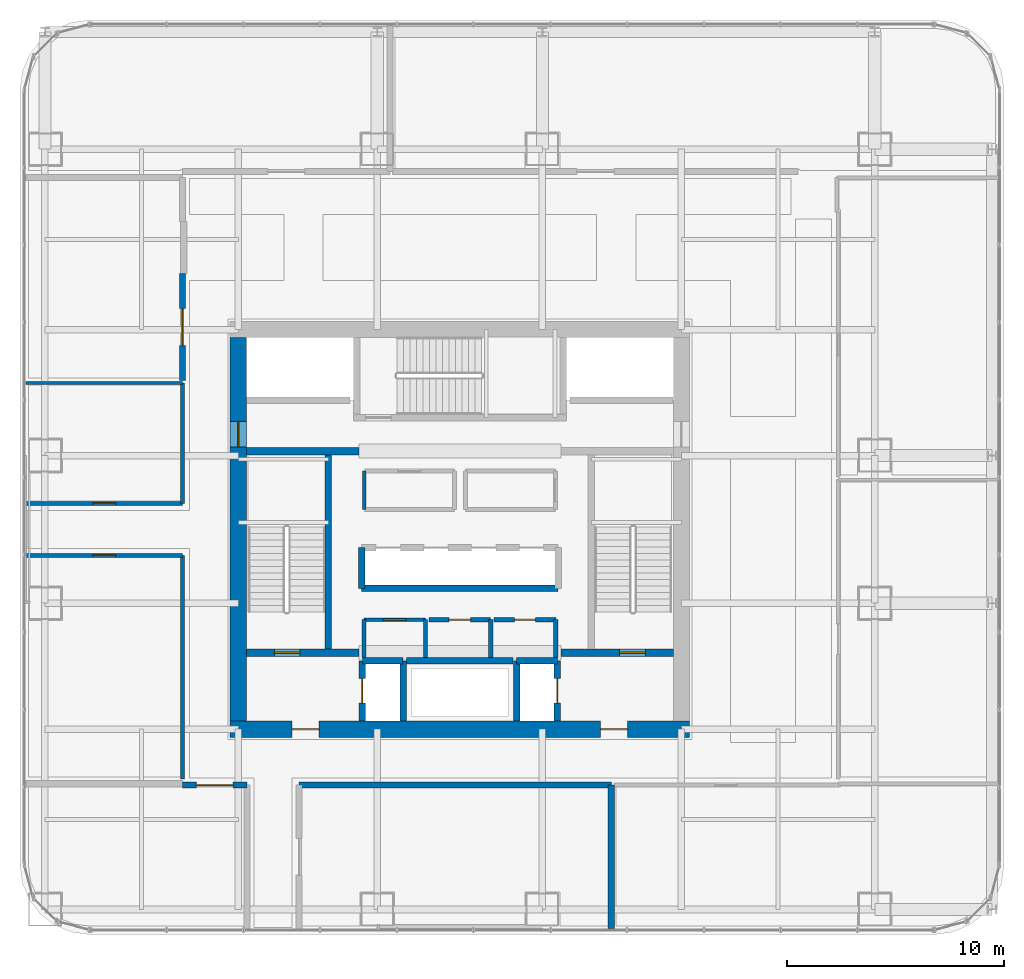
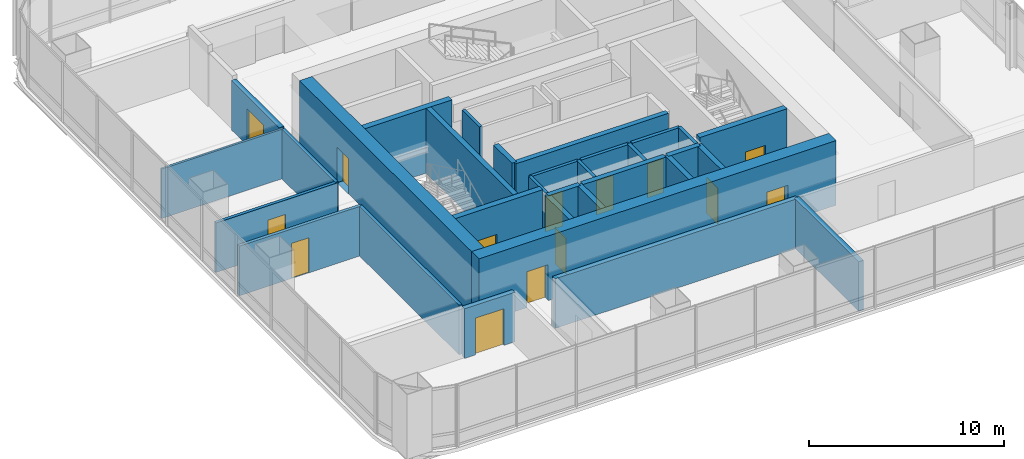
# One storey, part 27 of 34: 32 walls, 14 doors, 14 openings.
"""IFC4 building model written with IfcOpenShell, lengths in metres."""

from ifc_helpers import new_model, si_unit, direction, frame, frame_2d, origin, place, context, subcontext, project, spatial, rectangle, extrude, material, layer, layer_set, type_object, element, fill, save


model = new_model("IFC4")

# Units and contexts
model_context = context("Model", 3, precision=1e-05, world=origin(), true_north=direction((0.0, 1.0)))
body_context = subcontext(model_context, "Body", "Model", "MODEL_VIEW")
ifc_project = project(units=[si_unit("LENGTHUNIT", "METRE"), si_unit("AREAUNIT", "SQUARE_METRE"), si_unit("VOLUMEUNIT", "CUBIC_METRE"), si_unit("PLANEANGLEUNIT", "RADIAN"), si_unit("MASSUNIT", "GRAM", prefix="KILO")], contexts=[model_context])

# Site, building, storey
site_placement = place(None, origin())
site = spatial("IfcSite", under=ifc_project, at=site_placement, CompositionType="ELEMENT")
building_placement = place(site_placement, origin())
building = spatial("IfcBuilding", under=site, at=building_placement, Name="Punatoya Terracotta Tower", CompositionType="ELEMENT")
storey_placement = place(building_placement, frame((0.0, 0.0, 97.050048828125)))
storey = spatial("IfcBuildingStorey", under=building, at=storey_placement, Name="L22", CompositionType="ELEMENT", Elevation=97.050048828125)

# Walls
ifc_material_1 = material(Name="Concrete C40/50", Category="concrete")
ifc_layer_1 = layer(ifc_material_1, 0.280029296875)
ifc_layer_set_1 = layer_set([ifc_layer_1], Name="Concrete C40/50")
wall_type_1 = type_object("IfcWallType", Name="WL-AUD-280", PredefinedType="SOLIDWALL", material=ifc_layer_set_1)
wall_1_placement = place(storey_placement, frame((-7.39990234375, -11.77001953125, 0.0), z_axis=(0.0, 0.0, 1.0), x_axis=(1.0, 0.0, 0.0)))
element("IfcWall", 1, at=wall_1_placement, inside=storey, type_object=wall_type_1, Name="L22 Open-Plan Client Dining Salon Partition 17", PredefinedType="SOLIDWALL", context=body_context, shape_type="SweptSolid", body=[
    extrude(rectangle(XDim=14.369873046875, YDim=0.280029296875, at=frame_2d((7.18505859375, 0.0))), origin(), (0.0, 0.0, 1.0), 3.10400390625),
])
wall_2_placement = place(storey_placement, frame((6.969970703125, -11.77001953125, 0.0), z_axis=(0.0, 0.0, 1.0), x_axis=(0.0, -1.0, 0.0)))
element("IfcWall", 2, at=wall_2_placement, inside=storey, type_object=wall_type_1, Name="L22 Open-Plan Client Dining Salon Partition 18", PredefinedType="SOLIDWALL", context=body_context, shape_type="SweptSolid", body=[
    extrude(rectangle(XDim=6.60009765625, YDim=0.280029296875, at=frame_2d((3.300048828125, 0.0))), origin(), (0.0, 0.0, 1.0), 3.10400390625),
])

# Wall, opening, door
wall_3_placement = place(storey_placement, frame((-12.77001953125, -11.77001953125, 0.0), z_axis=(0.0, 0.0, 1.0), x_axis=(1.0, 0.0, 0.0)))
wall_3 = element("IfcWall", 3, at=wall_3_placement, inside=storey, type_object=wall_type_1, Name="L22 Open-Plan Executive Bistro Lounge Partition 20", PredefinedType="SOLIDWALL", context=body_context, shape_type="SweptSolid", body=[
    extrude(rectangle(XDim=2.969970703125, YDim=0.280029296875, at=frame_2d((1.48486328125, 0.0))), origin(), (0.0, 0.0, 1.0), 3.10400390625),
])
opening_1_placement = place(wall_3_placement, frame((0.635009765625, 0.0, 0.0)))
opening_1 = element("IfcOpeningElement", 4, at=opening_1_placement, cuts=wall_3, Name="Opening FD-D1", PredefinedType="OPENING", context=body_context, shape_type="SweptSolid", body=[
    extrude(rectangle(XDim=1.699951171875, YDim=2.300048828125, at=frame_2d((0.85009765625, 1.14990234375))), frame((0.0, 0.14990234375, 0.0), z_axis=(0.0, -1.0, 0.0), x_axis=(1.0, 0.0, 0.0)), (0.0, 0.0, 1.0), 0.300048828125),
])
ifc_material_2 = material(Name="Timber Teak Veneer Fire Leaf", Category="wood")
door_type_1 = type_object("IfcDoorType", Name="DR-DIN-1700", OperationType="NOTDEFINED", PredefinedType="DOOR", material=ifc_material_2)
door_1_placement = place(opening_1_placement, origin())
door_1 = element("IfcDoor", 5, at=door_1_placement, inside=storey, type_object=door_type_1, Name="L22 Open-Plan Executive Bistro Lounge Fire Door", OperationType="DOUBLE_DOOR_SINGLE_SWING", OverallHeight=2.300048828125, OverallWidth=1.699951171875, PredefinedType="DOOR", context=body_context, shape_type="SweptSolid", body=[
    extrude(rectangle(XDim=1.699951171875, YDim=2.300048828125, at=frame_2d((0.85009765625, 1.14990234375))), frame((0.0, 0.02490234375, 0.0), z_axis=(0.0, -1.0, 0.0), x_axis=(1.0, 0.0, 0.0)), (0.0, 0.0, 1.0), 0.050048828125),
])
fill(opening_1, door_1)

wall_4_placement = place(storey_placement, frame((-12.77001953125, 11.77001953125, 0.0), z_axis=(0.0, 0.0, 1.0), x_axis=(0.0, -1.0, 0.0)))
wall_4 = element("IfcWall", 6, at=wall_4_placement, inside=storey, type_object=wall_type_1, Name="L22 Waterfront Club Lounge Partition 35", PredefinedType="SOLIDWALL", context=body_context, shape_type="SweptSolid", body=[
    extrude(rectangle(XDim=4.912109375, YDim=0.280029296875, at=frame_2d((2.4560546875, 0.0))), origin(), (0.0, 0.0, 1.0), 3.10400390625),
])
opening_2_placement = place(wall_4_placement, frame((1.60595703125, 0.0, 0.0)))
opening_2 = element("IfcOpeningElement", 7, at=opening_2_placement, cuts=wall_4, Name="Opening FD-D1", PredefinedType="OPENING", context=body_context, shape_type="SweptSolid", body=[
    extrude(rectangle(XDim=1.699951171875, YDim=2.300048828125, at=frame_2d((0.85009765625, 1.14990234375))), frame((0.0, 0.14990234375, 0.0), z_axis=(0.0, -1.0, 0.0), x_axis=(1.0, 0.0, 0.0)), (0.0, 0.0, 1.0), 0.300048828125),
])
door_2_placement = place(opening_2_placement, origin())
door_2 = element("IfcDoor", 8, at=door_2_placement, inside=storey, type_object=door_type_1, Name="L22 Waterfront Club Lounge Fire Door", OperationType="DOUBLE_DOOR_SINGLE_SWING", OverallHeight=2.300048828125, OverallWidth=1.699951171875, PredefinedType="DOOR", context=body_context, shape_type="SweptSolid", body=[
    extrude(rectangle(XDim=1.699951171875, YDim=2.300048828125, at=frame_2d((0.85009765625, 1.14990234375))), frame((0.0, 0.02490234375, 0.0), z_axis=(0.0, -1.0, 0.0), x_axis=(1.0, 0.0, 0.0)), (0.0, 0.0, 1.0), 0.050048828125),
])
fill(opening_2, door_2)

# Wall, openings, doors
ifc_material_3 = material(Name="Concrete C60/75", Category="concrete")
ifc_layer_2 = layer(ifc_material_3, 0.75)
ifc_layer_set_2 = layer_set([ifc_layer_2], Name="Concrete C60/75")
wall_type_2 = type_object("IfcWallType", Name="WL-COR-750", PredefinedType="SHEAR", material=ifc_layer_set_2)
wall_5_placement = place(storey_placement, frame((10.574951171875, -9.199951171875, 0.0), z_axis=(0.0, 0.0, 1.0), x_axis=(-1.0, 0.0, 0.0)))
wall_5 = element("IfcWall", 9, at=wall_5_placement, inside=storey, type_object=wall_type_2, Name="L22 Core Shear Wall S", PredefinedType="SHEAR", context=body_context, shape_type="SweptSolid", body=[
    extrude(rectangle(XDim=21.14990234375, YDim=0.75, at=frame_2d((10.574951171875, 0.0))), origin(), (0.0, 0.0, 1.0), 4.050048828125),
])
opening_3_placement = place(wall_5_placement, frame((2.85009765625, 0.0, 0.0)))
opening_3 = element("IfcOpeningElement", 10, at=opening_3_placement, cuts=wall_5, Name="Opening FD-L1", PredefinedType="OPENING", context=body_context, shape_type="SweptSolid", body=[
    extrude(rectangle(XDim=1.25, YDim=2.25, at=frame_2d((0.625, 1.125))), frame((0.0, 0.385009765625, 0.0), z_axis=(0.0, -1.0, 0.0), x_axis=(1.0, 0.0, 0.0)), (0.0, 0.0, 1.0), 0.77001953125),
])
opening_4_placement = place(wall_5_placement, frame((17.050048828125, 0.0, 0.0)))
opening_4 = element("IfcOpeningElement", 11, at=opening_4_placement, cuts=wall_5, Name="Opening FD-L1", PredefinedType="OPENING", context=body_context, shape_type="SweptSolid", body=[
    extrude(rectangle(XDim=1.25, YDim=2.25, at=frame_2d((0.625, 1.125))), frame((0.0, 0.385009765625, 0.0), z_axis=(0.0, -1.0, 0.0), x_axis=(1.0, 0.0, 0.0)), (0.0, 0.0, 1.0), 0.77001953125),
])
ifc_material_4 = material(Name="Galvanised Steel Smokeproof Fire Door", Category="steel")
door_type_2 = type_object("IfcDoorType", Name="DR-FFL-1250", OperationType="NOTDEFINED", PredefinedType="DOOR", material=ifc_material_4)
door_3_placement = place(opening_3_placement, origin())
door_3 = element("IfcDoor", 12, at=door_3_placement, inside=storey, type_object=door_type_2, Name="L22 East Firefighting Lobby Corridor Fire Door", OperationType="SINGLE_SWING_LEFT", OverallHeight=2.25, OverallWidth=1.25, PredefinedType="DOOR", context=body_context, shape_type="SweptSolid", body=[
    extrude(rectangle(XDim=1.25, YDim=2.25, at=frame_2d((0.625, 1.125))), frame((0.0, 0.02490234375, 0.0), z_axis=(0.0, -1.0, 0.0), x_axis=(1.0, 0.0, 0.0)), (0.0, 0.0, 1.0), 0.050048828125),
])
fill(opening_3, door_3)
door_4_placement = place(opening_4_placement, origin())
door_4 = element("IfcDoor", 13, at=door_4_placement, inside=storey, type_object=door_type_2, Name="L22 West Firefighting Lobby Corridor Fire Door", OperationType="SINGLE_SWING_RIGHT", OverallHeight=2.25, OverallWidth=1.25, PredefinedType="DOOR", context=body_context, shape_type="SweptSolid", body=[
    extrude(rectangle(XDim=1.25, YDim=2.25, at=frame_2d((0.625, 1.125))), frame((0.0, 0.02490234375, 0.0), z_axis=(0.0, -1.0, 0.0), x_axis=(1.0, 0.0, 0.0)), (0.0, 0.0, 1.0), 0.050048828125),
])
fill(opening_4, door_4)

# Wall, opening, door
wall_6_placement = place(storey_placement, frame((-10.199951171875, -8.824951171875, 0.0), z_axis=(0.0, 0.0, 1.0), x_axis=(0.0, 1.0, 0.0)))
wall_6 = element("IfcWall", 14, at=wall_6_placement, inside=storey, type_object=wall_type_2, Name="L22 Core Shear Wall W", PredefinedType="SHEAR", context=body_context, shape_type="SweptSolid", body=[
    extrude(rectangle(XDim=17.64990234375, YDim=0.75, at=frame_2d((8.824951171875, 0.0))), origin(), (0.0, 0.0, 1.0), 4.050048828125),
])
opening_5_placement = place(wall_6_placement, frame((12.614990234375, 0.0, 0.0)))
opening_5 = element("IfcOpeningElement", 15, at=opening_5_placement, cuts=wall_6, Name="Opening SD-01", PredefinedType="OPENING", context=body_context, shape_type="SweptSolid", body=[
    extrude(rectangle(XDim=1.179931640625, YDim=2.199951171875, at=frame_2d((0.58984375, 1.10009765625))), frame((0.0, 0.385009765625, 0.0), z_axis=(0.0, -1.0, 0.0), x_axis=(1.0, 0.0, 0.0)), (0.0, 0.0, 1.0), 0.77001953125),
])
ifc_material_5 = material(Name="Galvanised Steel Pressurized Stair Fire Door", Category="steel")
door_type_3 = type_object("IfcDoorType", Name="DR-STR-1180", OperationType="NOTDEFINED", PredefinedType="DOOR", material=ifc_material_5)
door_5_placement = place(opening_5_placement, origin())
door_5 = element("IfcDoor", 16, at=door_5_placement, inside=storey, type_object=door_type_3, Name="L22 Central Lift Lobby West Fire Door", OperationType="SINGLE_SWING_LEFT", OverallHeight=2.199951171875, OverallWidth=1.179931640625, PredefinedType="DOOR", context=body_context, shape_type="SweptSolid", body=[
    extrude(rectangle(XDim=1.179931640625, YDim=2.199951171875, at=frame_2d((0.58984375, 1.10009765625))), frame((0.0, 0.02490234375, 0.0), z_axis=(0.0, -1.0, 0.0), x_axis=(1.0, 0.0, 0.0)), (0.0, 0.0, 1.0), 0.050048828125),
])
fill(opening_5, door_5)

# Wall
ifc_material_6 = material(Name="Gypsum Fireboard + Steel Stud", Category="steel")
ifc_layer_3 = layer(ifc_material_6, 0.179931640625)
ifc_layer_set_3 = layer_set([ifc_layer_3], Name="Gypsum Fireboard + Steel Stud")
wall_type_3 = type_object("IfcWallType", Name="WL-CORR-180", PredefinedType="PARTITIONING", material=ifc_layer_set_3)
wall_7_placement = place(storey_placement, frame((-1.580078125, -5.89990234375, 0.0), z_axis=(0.0, 0.0, 1.0), x_axis=(0.0, 1.0, 0.0)))
element("IfcWall", 17, at=wall_7_placement, inside=storey, type_object=wall_type_3, Name="L22 Core Quiet Wellness Room Partition 01", PredefinedType="PARTITIONING", context=body_context, shape_type="SweptSolid", body=[
    extrude(rectangle(XDim=1.739990234375, YDim=0.179931640625, at=frame_2d((0.8701171875, 0.0))), origin(), (0.0, 0.0, 1.0), 3.81005859375),
])

# Wall, opening, door
wall_8_placement = place(storey_placement, frame((-1.580078125, -4.159912109375, 0.0), z_axis=(0.0, 0.0, 1.0), x_axis=(-1.0, 0.0, 0.0)))
wall_8 = element("IfcWall", 18, at=wall_8_placement, inside=storey, type_object=wall_type_3, Name="L22 Core Quiet Wellness Room Partition 02", PredefinedType="PARTITIONING", context=body_context, shape_type="SweptSolid", body=[
    extrude(rectangle(XDim=2.83984375, YDim=0.179931640625, at=frame_2d((1.419921875, 0.0))), origin(), (0.0, 0.0, 1.0), 3.81005859375),
])
opening_6_placement = place(wall_8_placement, frame((0.89501953125, 0.0, 0.0)))
opening_6 = element("IfcOpeningElement", 19, at=opening_6_placement, cuts=wall_8, Name="Opening OD-01", PredefinedType="OPENING", context=body_context, shape_type="SweptSolid", body=[
    extrude(rectangle(XDim=1.050048828125, YDim=2.199951171875, at=frame_2d((0.52490234375, 1.10009765625))), frame((0.0, 0.099853515625, 0.0), z_axis=(0.0, -1.0, 0.0), x_axis=(1.0, 0.0, 0.0)), (0.0, 0.0, 1.0), 0.199951171875),
])
ifc_material_7 = material(Name="Bengal Teak Solid-Core Leaf")
door_type_4 = type_object("IfcDoorType", Name="DR-OFF-1050", OperationType="NOTDEFINED", PredefinedType="DOOR", material=ifc_material_7)
door_6_placement = place(opening_6_placement, origin())
door_6 = element("IfcDoor", 20, at=door_6_placement, inside=storey, type_object=door_type_4, Name="L22 Quiet Wellness Room Door", OperationType="SINGLE_SWING_RIGHT", OverallHeight=2.199951171875, OverallWidth=1.050048828125, PredefinedType="DOOR", context=body_context, shape_type="SweptSolid", body=[
    extrude(rectangle(XDim=1.050048828125, YDim=2.199951171875, at=frame_2d((0.52490234375, 1.10009765625))), frame((0.0, 0.02490234375, 0.0), z_axis=(0.0, -1.0, 0.0), x_axis=(1.0, 0.0, 0.0)), (0.0, 0.0, 1.0), 0.050048828125),
])
fill(opening_6, door_6)

# Walls
wall_9_placement = place(storey_placement, frame((-4.419921875, -4.159912109375, 0.0), z_axis=(0.0, 0.0, 1.0), x_axis=(0.0, -1.0, 0.0)))
element("IfcWall", 21, at=wall_9_placement, inside=storey, type_object=wall_type_3, Name="L22 Core Quiet Wellness Room Partition 03", PredefinedType="PARTITIONING", context=body_context, shape_type="SweptSolid", body=[
    extrude(rectangle(XDim=1.739990234375, YDim=0.179931640625, at=frame_2d((0.8701171875, 0.0))), origin(), (0.0, 0.0, 1.0), 3.81005859375),
])
wall_10_placement = place(storey_placement, frame((-4.39990234375, 2.679931640625, 0.0), z_axis=(0.0, 0.0, 1.0), x_axis=(0.0, -1.0, 0.0)))
element("IfcWall", 22, at=wall_10_placement, inside=storey, type_object=wall_type_3, Name="L22 West Core Focus Pod Partition 10", PredefinedType="PARTITIONING", context=body_context, shape_type="SweptSolid", body=[
    extrude(rectangle(XDim=1.760009765625, YDim=0.179931640625, at=frame_2d((0.8798828125, 0.0))), origin(), (0.0, 0.0, 1.0), 3.81005859375),
])

# Wall, opening, door
wall_11_placement = place(storey_placement, frame((-19.969970703125, -1.199951171875, 0.0), z_axis=(0.0, 0.0, 1.0), x_axis=(1.0, 0.0, 0.0)))
wall_11 = element("IfcWall", 23, at=wall_11_placement, inside=storey, type_object=wall_type_3, Name="L22 Open-Plan Visitor Reception Salon Partition 24", PredefinedType="PARTITIONING", context=body_context, shape_type="SweptSolid", body=[
    extrude(rectangle(XDim=7.199951171875, YDim=0.179931640625, at=frame_2d((3.60009765625, 0.0))), origin(), (0.0, 0.0, 1.0), 3.10400390625),
])
opening_7_placement = place(wall_11_placement, frame((3.074951171875, 0.0, 0.0)))
opening_7 = element("IfcOpeningElement", 24, at=opening_7_placement, cuts=wall_11, Name="Opening OD-01", PredefinedType="OPENING", context=body_context, shape_type="SweptSolid", body=[
    extrude(rectangle(XDim=1.050048828125, YDim=2.199951171875, at=frame_2d((0.52490234375, 1.10009765625))), frame((0.0, 0.099853515625, 0.0), z_axis=(0.0, -1.0, 0.0), x_axis=(1.0, 0.0, 0.0)), (0.0, 0.0, 1.0), 0.199951171875),
])
door_7_placement = place(opening_7_placement, origin())
door_7 = element("IfcDoor", 25, at=door_7_placement, inside=storey, type_object=door_type_4, Name="L22 Open-Plan Visitor Reception Salon Door", OperationType="SINGLE_SWING_RIGHT", OverallHeight=2.199951171875, OverallWidth=1.050048828125, PredefinedType="DOOR", context=body_context, shape_type="SweptSolid", body=[
    extrude(rectangle(XDim=1.050048828125, YDim=2.199951171875, at=frame_2d((0.52490234375, 1.10009765625))), frame((0.0, 0.02490234375, 0.0), z_axis=(0.0, -1.0, 0.0), x_axis=(1.0, 0.0, 0.0)), (0.0, 0.0, 1.0), 0.050048828125),
])
fill(opening_7, door_7)

# Wall
wall_12_placement = place(storey_placement, frame((-12.77001953125, -1.199951171875, 0.0), z_axis=(0.0, 0.0, 1.0), x_axis=(0.0, -1.0, 0.0)))
element("IfcWall", 26, at=wall_12_placement, inside=storey, type_object=wall_type_3, Name="L22 Open-Plan Visitor Reception Salon Partition 25", PredefinedType="PARTITIONING", context=body_context, shape_type="SweptSolid", body=[
    extrude(rectangle(XDim=10.2900390625, YDim=0.179931640625, at=frame_2d((5.14501953125, 0.0))), origin(), (0.0, 0.0, 1.0), 3.10400390625),
])

# Wall, opening, door
wall_13_placement = place(storey_placement, frame((-12.77001953125, 1.199951171875, 0.0), z_axis=(0.0, 0.0, 1.0), x_axis=(-1.0, 0.0, 0.0)))
wall_13 = element("IfcWall", 27, at=wall_13_placement, inside=storey, type_object=wall_type_3, Name="L22 Open-Plan Wellness Relaxation Lounge Partition 28", PredefinedType="PARTITIONING", context=body_context, shape_type="SweptSolid", body=[
    extrude(rectangle(XDim=7.199951171875, YDim=0.179931640625, at=frame_2d((3.60009765625, 0.0))), origin(), (0.0, 0.0, 1.0), 3.10400390625),
])
opening_8_placement = place(wall_13_placement, frame((3.074951171875, 0.0, 0.0)))
opening_8 = element("IfcOpeningElement", 28, at=opening_8_placement, cuts=wall_13, Name="Opening OD-01", PredefinedType="OPENING", context=body_context, shape_type="SweptSolid", body=[
    extrude(rectangle(XDim=1.050048828125, YDim=2.199951171875, at=frame_2d((0.52490234375, 1.10009765625))), frame((0.0, 0.099853515625, 0.0), z_axis=(0.0, -1.0, 0.0), x_axis=(1.0, 0.0, 0.0)), (0.0, 0.0, 1.0), 0.199951171875),
])
door_8_placement = place(opening_8_placement, origin())
door_8 = element("IfcDoor", 29, at=door_8_placement, inside=storey, type_object=door_type_4, Name="L22 Open-Plan Wellness Relaxation Lounge Door", OperationType="SINGLE_SWING_RIGHT", OverallHeight=2.199951171875, OverallWidth=1.050048828125, PredefinedType="DOOR", context=body_context, shape_type="SweptSolid", body=[
    extrude(rectangle(XDim=1.050048828125, YDim=2.199951171875, at=frame_2d((0.52490234375, 1.10009765625))), frame((0.0, 0.02490234375, 0.0), z_axis=(0.0, -1.0, 0.0), x_axis=(1.0, 0.0, 0.0)), (0.0, 0.0, 1.0), 0.050048828125),
])
fill(opening_8, door_8)

# Walls
wall_14_placement = place(storey_placement, frame((-12.77001953125, 6.738037109375, 0.0), z_axis=(0.0, 0.0, 1.0), x_axis=(0.0, -1.0, 0.0)))
element("IfcWall", 30, at=wall_14_placement, inside=storey, type_object=wall_type_3, Name="L22 Open-Plan Wellness Relaxation Lounge Partition 30", PredefinedType="PARTITIONING", context=body_context, shape_type="SweptSolid", body=[
    extrude(rectangle(XDim=5.5380859375, YDim=0.179931640625, at=frame_2d((2.76904296875, 0.0))), origin(), (0.0, 0.0, 1.0), 3.10400390625),
])
ifc_layer_4 = layer(ifc_material_1, 0.199951171875)
ifc_layer_set_4 = layer_set([ifc_layer_4], Name="Concrete C40/50")
wall_type_4 = type_object("IfcWallType", Name="WL-INT-200", PredefinedType="SOLIDWALL", material=ifc_layer_set_4)
wall_15_placement = place(storey_placement, frame((1.419921875, -5.89990234375, 0.0), z_axis=(0.0, 0.0, 1.0), x_axis=(0.0, 1.0, 0.0)))
element("IfcWall", 31, at=wall_15_placement, inside=storey, type_object=wall_type_4, Name="L22 Accessible Universal Washroom Partition 04", PredefinedType="SOLIDWALL", context=body_context, shape_type="SweptSolid", body=[
    extrude(rectangle(XDim=1.739990234375, YDim=0.199951171875, at=frame_2d((0.8701171875, 0.0))), origin(), (0.0, 0.0, 1.0), 3.81005859375),
])

# Wall, opening, door
wall_16_placement = place(storey_placement, frame((1.419921875, -4.159912109375, 0.0), z_axis=(0.0, 0.0, 1.0), x_axis=(-1.0, 0.0, 0.0)))
wall_16 = element("IfcWall", 32, at=wall_16_placement, inside=storey, type_object=wall_type_4, Name="L22 Accessible Universal Washroom Partition 05", PredefinedType="SOLIDWALL", context=body_context, shape_type="SweptSolid", body=[
    extrude(rectangle(XDim=2.83984375, YDim=0.199951171875, at=frame_2d((1.419921875, 0.0))), origin(), (0.0, 0.0, 1.0), 3.81005859375),
])
opening_9_placement = place(wall_16_placement, frame((0.919921875, 0.0, 0.0)))
opening_9 = element("IfcOpeningElement", 33, at=opening_9_placement, cuts=wall_16, Name="Opening AWD-1", PredefinedType="OPENING", context=body_context, shape_type="SweptSolid", body=[
    extrude(rectangle(XDim=1.0, YDim=2.14990234375, at=frame_2d((0.5, 1.074951171875))), frame((0.0, 0.10986328125, 0.0), z_axis=(0.0, -1.0, 0.0), x_axis=(1.0, 0.0, 0.0)), (0.0, 0.0, 1.0), 0.219970703125),
])
ifc_material_8 = material(Name="Bengal Teak Accessible WC Leaf")
door_type_5 = type_object("IfcDoorType", Name="DR-ACC-1000", OperationType="NOTDEFINED", PredefinedType="DOOR", material=ifc_material_8)
door_9_placement = place(opening_9_placement, origin())
door_9 = element("IfcDoor", 34, at=door_9_placement, inside=storey, type_object=door_type_5, Name="L22 Accessible Universal Washroom Door", OperationType="SINGLE_SWING_LEFT", OverallHeight=2.14990234375, OverallWidth=1.0, PredefinedType="DOOR", context=body_context, shape_type="SweptSolid", body=[
    extrude(rectangle(XDim=1.0, YDim=2.14990234375, at=frame_2d((0.5, 1.074951171875))), frame((0.0, 0.02490234375, 0.0), z_axis=(0.0, -1.0, 0.0), x_axis=(1.0, 0.0, 0.0)), (0.0, 0.0, 1.0), 0.050048828125),
])
fill(opening_9, door_9)

# Wall
wall_17_placement = place(storey_placement, frame((4.419921875, -5.89990234375, 0.0), z_axis=(0.0, 0.0, 1.0), x_axis=(0.0, 1.0, 0.0)))
element("IfcWall", 35, at=wall_17_placement, inside=storey, type_object=wall_type_4, Name="L22 All-Gender Washroom Partition 06", PredefinedType="SOLIDWALL", context=body_context, shape_type="SweptSolid", body=[
    extrude(rectangle(XDim=1.739990234375, YDim=0.199951171875, at=frame_2d((0.8701171875, 0.0))), origin(), (0.0, 0.0, 1.0), 3.81005859375),
])

# Wall, opening, door
wall_18_placement = place(storey_placement, frame((4.419921875, -4.159912109375, 0.0), z_axis=(0.0, 0.0, 1.0), x_axis=(-1.0, 0.0, 0.0)))
wall_18 = element("IfcWall", 36, at=wall_18_placement, inside=storey, type_object=wall_type_4, Name="L22 All-Gender Washroom Partition 07", PredefinedType="SOLIDWALL", context=body_context, shape_type="SweptSolid", body=[
    extrude(rectangle(XDim=2.83984375, YDim=0.199951171875, at=frame_2d((1.419921875, 0.0))), origin(), (0.0, 0.0, 1.0), 3.81005859375),
])
opening_10_placement = place(wall_18_placement, frame((0.945068359375, 0.0, 0.0)))
opening_10 = element("IfcOpeningElement", 37, at=opening_10_placement, cuts=wall_18, Name="Opening WD-01", PredefinedType="OPENING", context=body_context, shape_type="SweptSolid", body=[
    extrude(rectangle(XDim=0.949951171875, YDim=2.14990234375, at=frame_2d((0.47509765625, 1.074951171875))), frame((0.0, 0.10986328125, 0.0), z_axis=(0.0, -1.0, 0.0), x_axis=(1.0, 0.0, 0.0)), (0.0, 0.0, 1.0), 0.219970703125),
])
ifc_material_9 = material(Name="Moisture-Resistant Laminate Timber Leaf", Category="wood")
door_type_6 = type_object("IfcDoorType", Name="DR-WC-950", OperationType="NOTDEFINED", PredefinedType="DOOR", material=ifc_material_9)
door_10_placement = place(opening_10_placement, origin())
door_10 = element("IfcDoor", 38, at=door_10_placement, inside=storey, type_object=door_type_6, Name="L22 All-Gender Washroom Door", OperationType="SINGLE_SWING_RIGHT", OverallHeight=2.14990234375, OverallWidth=0.949951171875, PredefinedType="DOOR", context=body_context, shape_type="SweptSolid", body=[
    extrude(rectangle(XDim=0.949951171875, YDim=2.14990234375, at=frame_2d((0.47509765625, 1.074951171875))), frame((0.0, 0.02490234375, 0.0), z_axis=(0.0, -1.0, 0.0), x_axis=(1.0, 0.0, 0.0)), (0.0, 0.0, 1.0), 0.050048828125),
])
fill(opening_10, door_10)

# Walls
ifc_material_10 = material(Name="Gypsum Partition + Steel Stud", Category="steel")
ifc_layer_5 = layer(ifc_material_10, 0.1201171875)
ifc_layer_set_5 = layer_set([ifc_layer_5], Name="Gypsum Partition + Steel Stud")
wall_type_5 = type_object("IfcWallType", Name="WL-OFF-120", PredefinedType="PARTITIONING", material=ifc_layer_set_5)
wall_19_placement = place(storey_placement, frame((-19.969970703125, 6.738037109375, 0.0), z_axis=(0.0, 0.0, 1.0), x_axis=(1.0, 0.0, 0.0)))
element("IfcWall", 39, at=wall_19_placement, inside=storey, type_object=wall_type_5, Name="L22 Open-Plan Wellness Relaxation Lounge Partition 29", PredefinedType="PARTITIONING", context=body_context, shape_type="SweptSolid", body=[
    extrude(rectangle(XDim=7.199951171875, YDim=0.1201171875, at=frame_2d((3.60009765625, 0.0))), origin(), (0.0, 0.0, 1.0), 3.10400390625),
])
ifc_layer_6 = layer(ifc_material_1, 0.300048828125)
ifc_layer_set_6 = layer_set([ifc_layer_6], Name="Concrete C40/50")
wall_type_6 = type_object("IfcWallType", Name="WL-SHF-300", PredefinedType="SOLIDWALL", material=ifc_layer_set_6)
wall_20_placement = place(storey_placement, frame((-6.050048828125, -5.5, 0.0), z_axis=(0.0, 0.0, 1.0), x_axis=(0.0, 1.0, 0.0)))
element("IfcWall", 40, at=wall_20_placement, inside=storey, type_object=wall_type_6, Name="L22 Structural Stair Shaft Wall SW-ST1-E", PredefinedType="SOLIDWALL", context=body_context, shape_type="SweptSolid", body=[
    extrude(rectangle(XDim=8.949951171875, YDim=0.300048828125, at=frame_2d((4.47509765625, 0.0))), origin(), (0.0, 0.0, 1.0), 4.050048828125),
])

# Wall, opening, door
wall_21_placement = place(storey_placement, frame((-4.489990234375, -8.820068359375, 0.0), z_axis=(0.0, 0.0, 1.0), x_axis=(0.0, 1.0, 0.0)))
wall_21 = element("IfcWall", 41, at=wall_21_placement, inside=storey, type_object=wall_type_6, Name="L22 FFL-1 Front Hoistway Wall", PredefinedType="SOLIDWALL", context=body_context, shape_type="SweptSolid", body=[
    extrude(rectangle(XDim=2.77001953125, YDim=0.300048828125, at=frame_2d((1.385009765625, 0.0))), origin(), (0.0, 0.0, 1.0), 3.81005859375),
])
opening_11_placement = place(wall_21_placement, frame((0.824951171875, 0.0, 0.0)))
opening_11 = element("IfcOpeningElement", 42, at=opening_11_placement, cuts=wall_21, Name="Opening LD-02", PredefinedType="OPENING", context=body_context, shape_type="SweptSolid", body=[
    extrude(rectangle(XDim=1.1201171875, YDim=2.25, at=frame_2d((0.56005859375, 1.125))), frame((0.0, 0.159912109375, 0.0), z_axis=(0.0, -1.0, 0.0), x_axis=(1.0, 0.0, 0.0)), (0.0, 0.0, 1.0), 0.320068359375),
])
ifc_material_11 = material(Name="Stainless Steel Lift Landing Door", Category="steel")
door_type_7 = type_object("IfcDoorType", Name="DR-LND-1120", OperationType="NOTDEFINED", PredefinedType="DOOR", material=ifc_material_11)
door_11_placement = place(opening_11_placement, origin())
door_11 = element("IfcDoor", 43, at=door_11_placement, inside=storey, type_object=door_type_7, Name="L22 Firefighting Lift FFL-1 Sliding Landing Door", OperationType="SLIDING_TO_LEFT", OverallHeight=2.25, OverallWidth=1.1201171875, PredefinedType="DOOR", context=body_context, shape_type="SweptSolid", body=[
    extrude(rectangle(XDim=1.1201171875, YDim=2.25, at=frame_2d((0.56005859375, 1.125))), frame((0.0, 0.02490234375, 0.0), z_axis=(0.0, -1.0, 0.0), x_axis=(1.0, 0.0, 0.0)), (0.0, 0.0, 1.0), 0.050048828125),
])
fill(opening_11, door_11)

# Walls
wall_22_placement = place(storey_placement, frame((-2.610107421875, -8.820068359375, 0.0), z_axis=(0.0, 0.0, 1.0), x_axis=(0.0, 1.0, 0.0)))
element("IfcWall", 44, at=wall_22_placement, inside=storey, type_object=wall_type_6, Name="L22 FFL-1 Rear Hoistway Wall", PredefinedType="SOLIDWALL", context=body_context, shape_type="SweptSolid", body=[
    extrude(rectangle(XDim=2.77001953125, YDim=0.300048828125, at=frame_2d((1.385009765625, 0.0))), origin(), (0.0, 0.0, 1.0), 3.81005859375),
])
wall_23_placement = place(storey_placement, frame((-4.489990234375, -6.050048828125, 0.0), z_axis=(0.0, 0.0, 1.0), x_axis=(1.0, 0.0, 0.0)))
element("IfcWall", 45, at=wall_23_placement, inside=storey, type_object=wall_type_6, Name="L22 FFL-1 North Hoistway Wall", PredefinedType="SOLIDWALL", context=body_context, shape_type="SweptSolid", body=[
    extrude(rectangle(XDim=1.8798828125, YDim=0.300048828125, at=frame_2d((0.93994140625, 0.0))), origin(), (0.0, 0.0, 1.0), 3.81005859375),
])

# Wall, opening, door
wall_24_placement = place(storey_placement, frame((4.489990234375, -8.820068359375, 0.0), z_axis=(0.0, 0.0, 1.0), x_axis=(0.0, 1.0, 0.0)))
wall_24 = element("IfcWall", 46, at=wall_24_placement, inside=storey, type_object=wall_type_6, Name="L22 FFL-2 Front Hoistway Wall", PredefinedType="SOLIDWALL", context=body_context, shape_type="SweptSolid", body=[
    extrude(rectangle(XDim=2.77001953125, YDim=0.300048828125, at=frame_2d((1.385009765625, 0.0))), origin(), (0.0, 0.0, 1.0), 3.81005859375),
])
opening_12_placement = place(wall_24_placement, frame((0.824951171875, 0.0, 0.0)))
opening_12 = element("IfcOpeningElement", 47, at=opening_12_placement, cuts=wall_24, Name="Opening LD-02", PredefinedType="OPENING", context=body_context, shape_type="SweptSolid", body=[
    extrude(rectangle(XDim=1.1201171875, YDim=2.25, at=frame_2d((0.56005859375, 1.125))), frame((0.0, 0.159912109375, 0.0), z_axis=(0.0, -1.0, 0.0), x_axis=(1.0, 0.0, 0.0)), (0.0, 0.0, 1.0), 0.320068359375),
])
door_12_placement = place(opening_12_placement, origin())
door_12 = element("IfcDoor", 48, at=door_12_placement, inside=storey, type_object=door_type_7, Name="L22 Firefighting Lift FFL-2 Sliding Landing Door", OperationType="SLIDING_TO_RIGHT", OverallHeight=2.25, OverallWidth=1.1201171875, PredefinedType="DOOR", context=body_context, shape_type="SweptSolid", body=[
    extrude(rectangle(XDim=1.1201171875, YDim=2.25, at=frame_2d((0.56005859375, 1.125))), frame((0.0, 0.02490234375, 0.0), z_axis=(0.0, -1.0, 0.0), x_axis=(1.0, 0.0, 0.0)), (0.0, 0.0, 1.0), 0.050048828125),
])
fill(opening_12, door_12)

# Walls
wall_25_placement = place(storey_placement, frame((2.610107421875, -8.820068359375, 0.0), z_axis=(0.0, 0.0, 1.0), x_axis=(0.0, 1.0, 0.0)))
element("IfcWall", 49, at=wall_25_placement, inside=storey, type_object=wall_type_6, Name="L22 FFL-2 Rear Hoistway Wall", PredefinedType="SOLIDWALL", context=body_context, shape_type="SweptSolid", body=[
    extrude(rectangle(XDim=2.77001953125, YDim=0.300048828125, at=frame_2d((1.385009765625, 0.0))), origin(), (0.0, 0.0, 1.0), 3.81005859375),
])
wall_26_placement = place(storey_placement, frame((2.610107421875, -6.050048828125, 0.0), z_axis=(0.0, 0.0, 1.0), x_axis=(1.0, 0.0, 0.0)))
element("IfcWall", 50, at=wall_26_placement, inside=storey, type_object=wall_type_6, Name="L22 FFL-2 North Hoistway Wall", PredefinedType="SOLIDWALL", context=body_context, shape_type="SweptSolid", body=[
    extrude(rectangle(XDim=1.8798828125, YDim=0.300048828125, at=frame_2d((0.93994140625, 0.0))), origin(), (0.0, 0.0, 1.0), 3.81005859375),
])
wall_27_placement = place(storey_placement, frame((-4.52001953125, -2.719970703125, 0.0), z_axis=(0.0, 0.0, 1.0), x_axis=(1.0, 0.0, 0.0)))
element("IfcWall", 51, at=wall_27_placement, inside=storey, type_object=wall_type_6, Name="L22 South Lift Bank Rear Shaft Wall", PredefinedType="SOLIDWALL", context=body_context, shape_type="SweptSolid", body=[
    extrude(rectangle(XDim=9.0400390625, YDim=0.300048828125, at=frame_2d((4.52001953125, 0.0))), origin(), (0.0, 0.0, 1.0), 3.81005859375),
])
wall_28_placement = place(storey_placement, frame((-4.52001953125, -2.719970703125, 0.0), z_axis=(0.0, 0.0, 1.0), x_axis=(0.0, 1.0, 0.0)))
element("IfcWall", 52, at=wall_28_placement, inside=storey, type_object=wall_type_6, Name="L22 South Lift Bank West End Wall", PredefinedType="SOLIDWALL", context=body_context, shape_type="SweptSolid", body=[
    extrude(rectangle(XDim=1.8798828125, YDim=0.300048828125, at=frame_2d((0.93994140625, 0.0))), origin(), (0.0, 0.0, 1.0), 3.81005859375),
])
wall_29_placement = place(storey_placement, frame((-2.449951171875, -6.050048828125, 0.0), z_axis=(0.0, 0.0, 1.0), x_axis=(1.0, 0.0, 0.0)))
element("IfcWall", 53, at=wall_29_placement, inside=storey, type_object=wall_type_6, Name="L22 Observation Shuttle Rear Hoistway Wall", PredefinedType="SOLIDWALL", context=body_context, shape_type="SweptSolid", body=[
    extrude(rectangle(XDim=4.89990234375, YDim=0.300048828125, at=frame_2d((2.449951171875, 0.0))), origin(), (0.0, 0.0, 1.0), 3.81005859375),
])

# Wall, opening, door
ifc_material_12 = material(Name="Concrete C50/60", Category="concrete")
ifc_layer_7 = layer(ifc_material_12, 0.35009765625)
ifc_layer_set_7 = layer_set([ifc_layer_7], Name="Concrete C50/60")
wall_type_7 = type_object("IfcWallType", Name="WL-SHF-350", PredefinedType="SOLIDWALL", material=ifc_layer_set_7)
wall_30_placement = place(storey_placement, frame((-9.824951171875, -5.679931640625, 0.0), z_axis=(0.0, 0.0, 1.0), x_axis=(1.0, 0.0, 0.0)))
wall_30 = element("IfcWall", 54, at=wall_30_placement, inside=storey, type_object=wall_type_7, Name="L22 Core Web Wall CSW-L", PredefinedType="SOLIDWALL", context=body_context, shape_type="SweptSolid", body=[
    extrude(rectangle(XDim=5.175048828125, YDim=0.35009765625, at=frame_2d((2.58740234375, 0.0))), origin(), (0.0, 0.0, 1.0), 4.050048828125),
])
opening_13_placement = place(wall_30_placement, frame((1.284912109375, 0.0, 0.0)))
opening_13 = element("IfcOpeningElement", 55, at=opening_13_placement, cuts=wall_30, Name="Opening SD-01", PredefinedType="OPENING", context=body_context, shape_type="SweptSolid", body=[
    extrude(rectangle(XDim=1.179931640625, YDim=2.199951171875, at=frame_2d((0.58984375, 1.10009765625))), frame((0.0, 0.18505859375, 0.0), z_axis=(0.0, -1.0, 0.0), x_axis=(1.0, 0.0, 0.0)), (0.0, 0.0, 1.0), 0.3701171875),
])
door_13_placement = place(opening_13_placement, origin())
door_13 = element("IfcDoor", 56, at=door_13_placement, inside=storey, type_object=door_type_3, Name="L22 Stair ST-1 Smokeproof Lobby Fire Door", OperationType="SINGLE_SWING_LEFT", OverallHeight=2.199951171875, OverallWidth=1.179931640625, PredefinedType="DOOR", context=body_context, shape_type="SweptSolid", body=[
    extrude(rectangle(XDim=1.179931640625, YDim=2.199951171875, at=frame_2d((0.58984375, 1.10009765625))), frame((0.0, 0.02490234375, 0.0), z_axis=(0.0, -1.0, 0.0), x_axis=(1.0, 0.0, 0.0)), (0.0, 0.0, 1.0), 0.050048828125),
])
fill(opening_13, door_13)

wall_31_placement = place(storey_placement, frame((4.64990234375, -5.679931640625, 0.0), z_axis=(0.0, 0.0, 1.0), x_axis=(1.0, 0.0, 0.0)))
wall_31 = element("IfcWall", 57, at=wall_31_placement, inside=storey, type_object=wall_type_7, Name="L22 Core Web Wall CSW-R", PredefinedType="SOLIDWALL", context=body_context, shape_type="SweptSolid", body=[
    extrude(rectangle(XDim=5.175048828125, YDim=0.35009765625, at=frame_2d((2.58740234375, 0.0))), origin(), (0.0, 0.0, 1.0), 4.050048828125),
])
opening_14_placement = place(wall_31_placement, frame((2.7099609375, 0.0, 0.0)))
opening_14 = element("IfcOpeningElement", 58, at=opening_14_placement, cuts=wall_31, Name="Opening SD-01", PredefinedType="OPENING", context=body_context, shape_type="SweptSolid", body=[
    extrude(rectangle(XDim=1.179931640625, YDim=2.199951171875, at=frame_2d((0.58984375, 1.10009765625))), frame((0.0, 0.18505859375, 0.0), z_axis=(0.0, -1.0, 0.0), x_axis=(1.0, 0.0, 0.0)), (0.0, 0.0, 1.0), 0.3701171875),
])
door_14_placement = place(opening_14_placement, origin())
door_14 = element("IfcDoor", 59, at=door_14_placement, inside=storey, type_object=door_type_3, Name="L22 Stair ST-2 Smokeproof Lobby Fire Door", OperationType="SINGLE_SWING_RIGHT", OverallHeight=2.199951171875, OverallWidth=1.179931640625, PredefinedType="DOOR", context=body_context, shape_type="SweptSolid", body=[
    extrude(rectangle(XDim=1.179931640625, YDim=2.199951171875, at=frame_2d((0.58984375, 1.10009765625))), frame((0.0, 0.02490234375, 0.0), z_axis=(0.0, -1.0, 0.0), x_axis=(1.0, 0.0, 0.0)), (0.0, 0.0, 1.0), 0.050048828125),
])
fill(opening_14, door_14)

# Wall
wall_32_placement = place(storey_placement, frame((-9.824951171875, 3.60009765625, 0.0), z_axis=(0.0, 0.0, 1.0), x_axis=(1.0, 0.0, 0.0)))
element("IfcWall", 60, at=wall_32_placement, inside=storey, type_object=wall_type_7, Name="L22 Core Web Wall CNW-L", PredefinedType="SOLIDWALL", context=body_context, shape_type="SweptSolid", body=[
    extrude(rectangle(XDim=5.175048828125, YDim=0.35009765625, at=frame_2d((2.58740234375, 0.0))), origin(), (0.0, 0.0, 1.0), 4.050048828125),
])

save(model, "model.ifc")
